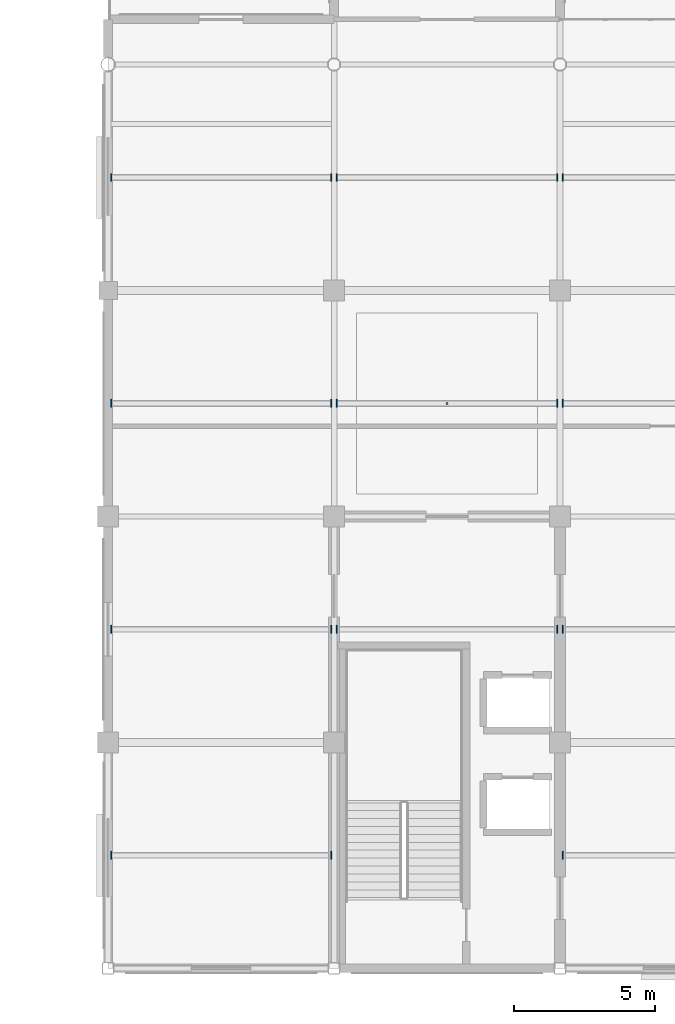
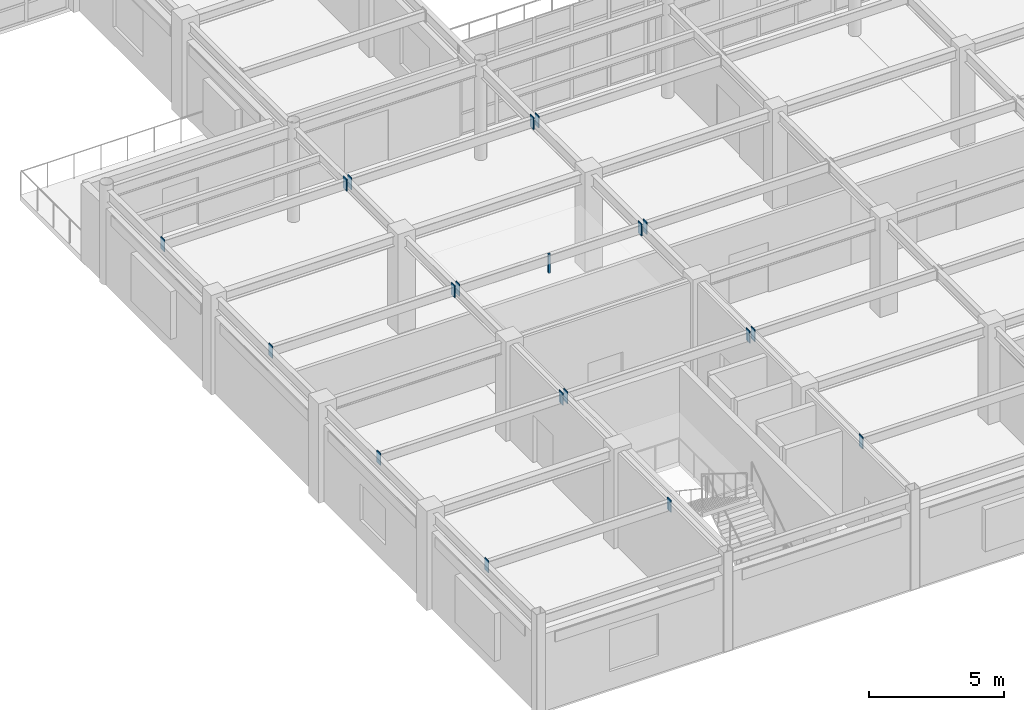
# One storey, part 66 of 93: 19 discrete accessories.
"""IFC4 building model written with IfcOpenShell, lengths in metres."""

import ifcopenshell
import ifcopenshell.guid

model = None  # the IFC model being written
_history = None  # IfcOwnerHistory: only IFC2X3 demands one
_inside = {}  # id of a spatial element -> (the spatial element, [elements in it])
_under = {}  # id of a project, library or spatial element -> (it, [spatial elements below it])
_declared = {}  # id of a project -> (the project, [libraries it declares])
_typed = {}  # id of a type object -> (the type object, [elements of that type])
_made_of = {}  # id of a material, layer set ... -> (it, [elements and type objects made of it])


def new_model(schema):
    """Start an empty IFC model of exactly this schema.

    Asked for "IFC4X3", IfcOpenShell would pick the latest addendum, in which some entities
    have other attributes; the version numbers below select the first issue.
    IFC2X3 requires an IfcOwnerHistory on every rooted entity: one is made here for all.
    """
    global model, _history
    if schema == "IFC4X3":
        model = ifcopenshell.file(schema_version=(4, 3, 0, 0))
    else:
        model = ifcopenshell.file(schema=schema)
    _inside.clear()
    _under.clear()
    _declared.clear()
    _typed.clear()
    _made_of.clear()
    _history = None
    if model.schema == "IFC2X3":
        org = make("IfcOrganization", Name="unknown")
        user = make(
            "IfcPersonAndOrganization",
            ThePerson=make("IfcPerson", FamilyName="unknown"),
            TheOrganization=org,
        )
        app = make(
            "IfcApplication",
            ApplicationDeveloper=org,
            Version="unknown",
            ApplicationFullName="unknown",
            ApplicationIdentifier="unknown",
        )
        _history = make(
            "IfcOwnerHistory",
            OwningUser=user,
            OwningApplication=app,
            ChangeAction="ADDED",
            CreationDate=0,
        )
    return model


def make(cls, **values):
    """One entity of the class cls with the attributes given. An attribute that is None is left unset."""
    return model.create_entity(
        cls, **{name: value for name, value in values.items() if value is not None}
    )


def rooted(cls, **values):
    """An entity with a GlobalId (a new one), such as an element, a storey or a relation."""
    return make(cls, GlobalId=ifcopenshell.guid.new(), OwnerHistory=_history, **values)


def si_unit(unit_type, name, prefix=None):
    """IfcSIUnit, for example si_unit("LENGTHUNIT", "METRE", prefix="MILLI")."""
    return make("IfcSIUnit", UnitType=unit_type, Prefix=prefix, Name=name)


def assignment(units):
    """IfcUnitAssignment: the units of a project."""
    return None if units is None else make("IfcUnitAssignment", Units=units)


def point(xyz):
    """IfcCartesianPoint."""
    return None if xyz is None else make("IfcCartesianPoint", Coordinates=xyz)


def direction(xyz):
    """IfcDirection."""
    return None if xyz is None else make("IfcDirection", DirectionRatios=xyz)


def frame(location, z_axis=None, x_axis=None):
    """IfcAxis2Placement3D, a coordinate frame: its origin and axes. An axis left out is left unset."""
    return make(
        "IfcAxis2Placement3D",
        Location=point(location),
        Axis=direction(z_axis),
        RefDirection=direction(x_axis),
    )


def frame_2d(location, x_axis=None):
    """IfcAxis2Placement2D, a coordinate frame in the plane: its origin and x axis."""
    return make(
        "IfcAxis2Placement2D", Location=point(location), RefDirection=direction(x_axis)
    )


def origin():
    """The frame at (0, 0, 0) with its axes left unset."""
    return frame((0.0, 0.0, 0.0))


def origin_2d():
    """The frame at (0, 0) in the plane with its x axis left unset."""
    return frame_2d((0.0, 0.0))


def place(relative_to, where):
    """IfcLocalPlacement: puts the frame where relative to a parent placement (None: the world)."""
    return make(
        "IfcLocalPlacement", PlacementRelTo=relative_to, RelativePlacement=where
    )


def context(
    kind, dimensions, precision=None, world=None, true_north=None, identifier=None
):
    """IfcGeometricRepresentationContext, for example the 3D "Model" context."""
    return make(
        "IfcGeometricRepresentationContext",
        ContextIdentifier=identifier,
        ContextType=kind,
        CoordinateSpaceDimension=dimensions,
        Precision=precision,
        WorldCoordinateSystem=world,
        TrueNorth=true_north,
    )


def subcontext(parent, identifier, kind, view, scale=None):
    """IfcGeometricRepresentationSubContext, for example "Body" below "Model"."""
    return make(
        "IfcGeometricRepresentationSubContext",
        ContextIdentifier=identifier,
        ContextType=kind,
        ParentContext=parent,
        TargetScale=scale,
        TargetView=view,
    )


def project(units=None, contexts=None):
    """IfcProject with its units and contexts."""
    return rooted(
        "IfcProject",
        Name="project",
        RepresentationContexts=contexts,
        UnitsInContext=assignment(units),
    )


def spatial(cls, under=None, at=None, **own):
    """A site, building, storey or space (cls), placed at a placement, below another one or the project."""
    s = rooted(cls, ObjectPlacement=at, **own)
    if under is not None:
        _under.setdefault(under.id(), (under, []))[1].append(s)
    return s


def profile(cls, at=None, kind="AREA", **sizes):
    """A parametric profile (cls). Its sizes go by their IFC names, for example OverallWidth=200.0."""
    return make(cls, ProfileType=kind, Position=at, **sizes)


def rectangle(**sizes):
    """IfcRectangleProfileDef."""
    return profile("IfcRectangleProfileDef", **sizes)


def extrude(swept, where, along, depth):
    """IfcExtrudedAreaSolid: the profile swept, set in the frame where, extruded along a direction by depth."""
    return make(
        "IfcExtrudedAreaSolid",
        SweptArea=swept,
        Position=where,
        ExtrudedDirection=direction(along),
        Depth=depth,
    )


def shape(context_of_items, identifier, shape_type, items):
    """IfcShapeRepresentation: the items that make up one representation, for example the "Body"."""
    return make(
        "IfcShapeRepresentation",
        ContextOfItems=context_of_items,
        RepresentationIdentifier=identifier,
        RepresentationType=shape_type,
        Items=items,
    )


def material(Name=None, Category=None):
    """IfcMaterial."""
    return make("IfcMaterial", Name=Name, Category=Category)


def layer(
    of_material, thickness, ventilated=None, Name=None, Category=None, Priority=None
):
    """IfcMaterialLayer: one layer of a wall or slab, of a material (None: an air gap)."""
    return make(
        "IfcMaterialLayer",
        Material=of_material,
        LayerThickness=thickness,
        IsVentilated=ventilated,
        Name=Name,
        Category=Category,
        Priority=Priority,
    )


def layer_set(layers, Name=None):
    """IfcMaterialLayerSet."""
    return make("IfcMaterialLayerSet", MaterialLayers=layers, LayerSetName=Name)


def made_of(thing, what):
    """Note that an element or type object is made of a material, layer set ...; save() writes the relation."""
    if what is not None:
        _made_of.setdefault(what.id(), (what, []))[1].append(thing)
    return thing


def type_object(cls, material=None, **own):
    """A type object (cls), such as IfcWallType, which elements share."""
    return made_of(rooted(cls, **own), material)


def element(
    cls,
    number,
    at=None,
    inside=None,
    cuts=None,
    type_object=None,
    material=None,
    context=None,
    identifier="Body",
    shape_type=None,
    held_by="IfcProductDefinitionShape",
    body=None,
    shapes=None,
    **own,
):
    """One element of the class cls, such as IfcWall. Its Tag is "e" and its number.

    at: its placement. inside: the storey or other place that contains it. cuts: it is an
    opening in that element (IfcRelVoidsElement). A single representation is given by context,
    identifier, shape_type and body (its items); several are given by shapes. held_by: the class
    of the entity that holds the representations. save() writes the other relations.
    """
    e = rooted(cls, Tag="e%d" % number, ObjectPlacement=at, **own)
    if body is not None:
        shapes = [shape(context, identifier, shape_type, body)]
    if shapes is not None:
        e.Representation = make(held_by, Representations=shapes)
    if inside is not None:
        _inside.setdefault(inside.id(), (inside, []))[1].append(e)
    if cuts is not None:
        rooted(
            "IfcRelVoidsElement", RelatingBuildingElement=cuts, RelatedOpeningElement=e
        )
    if type_object is not None:
        _typed.setdefault(type_object.id(), (type_object, []))[1].append(e)
    return made_of(e, material)


def aggregate(whole, parts):
    """IfcRelAggregates: a whole, such as a stair, and the parts it consists of."""
    return rooted("IfcRelAggregates", RelatingObject=whole, RelatedObjects=parts)


def save(model, path):
    """Write the relations noted so far, then the file.

    IfcRelAggregates (storeys below a building ...), IfcRelContainedInSpatialStructure (elements
    in a storey), IfcRelDefinesByType, IfcRelAssociatesMaterial and IfcRelDeclares: one each for
    every whole, place, type object, material and project.
    """
    for whole, parts in _under.values():
        aggregate(whole, parts)
    for where, things in _inside.values():
        rooted(
            "IfcRelContainedInSpatialStructure",
            RelatedElements=things,
            RelatingStructure=where,
        )
    for kind, things in _typed.values():
        rooted("IfcRelDefinesByType", RelatedObjects=things, RelatingType=kind)
    for what, things in _made_of.values():
        rooted("IfcRelAssociatesMaterial", RelatedObjects=things, RelatingMaterial=what)
    for by, libraries in _declared.values():
        rooted("IfcRelDeclares", RelatingContext=by, RelatedDefinitions=libraries)
    model.write(path)


model = new_model("IFC4")

# Units and contexts
model_context = context("Model", 3, precision=1e-05, world=origin(), true_north=direction((0.0, 1.0)))
body_context = subcontext(model_context, "Body", "Model", "MODEL_VIEW")
ifc_project = project(units=[si_unit("LENGTHUNIT", "METRE"), si_unit("AREAUNIT", "SQUARE_METRE"), si_unit("VOLUMEUNIT", "CUBIC_METRE"), si_unit("PLANEANGLEUNIT", "RADIAN"), si_unit("MASSUNIT", "GRAM", prefix="KILO")], contexts=[model_context])

# Site, building, storey
site_placement = place(None, origin())
site = spatial("IfcSite", under=ifc_project, at=site_placement, CompositionType="ELEMENT")
building_placement = place(site_placement, origin())
building = spatial("IfcBuilding", under=site, at=building_placement, Name="Solmirada Galleria", CompositionType="ELEMENT")
storey_placement = place(building_placement, frame((0.0, 0.0, 14.89990234375)))
storey = spatial("IfcBuildingStorey", under=building, at=storey_placement, Name="L03", CompositionType="ELEMENT", Elevation=14.89990234375)

# Discrete accessories
ifc_material_1 = material(Name="Steel S355 / ASTM A992 Grade 50", Category="steel")
discrete_accessory_type_1 = type_object("IfcDiscreteAccessoryType", Name="ACC-CEIL-HANGER", PredefinedType="BRACKET", material=ifc_material_1)
discrete_accessory_placement = place(storey_placement, frame((92.0, 20.0, 3.449951171875), z_axis=(0.0, 0.0, 1.0), x_axis=(1.0, 0.0, 0.0)))
element("IfcDiscreteAccessory", 1, at=discrete_accessory_placement, inside=storey, type_object=discrete_accessory_type_1, Name="Ceiling suspension hanger L03-2", PredefinedType="BRACKET", context=body_context, shape_type="SweptSolid", body=[
    extrude(rectangle(XDim=0.080078125, YDim=0.080078125, at=origin_2d()), origin(), (0.0, 0.0, 1.0), 0.8701171875),
])
ifc_material_2 = material(Name="Steel S355 / ASTM A572 Grade 50", Category="steel")
ifc_layer = layer(ifc_material_2, 0.031982421875)
ifc_layer_set = layer_set([ifc_layer], Name="Steel S355 / ASTM A572 Grade 50")
discrete_accessory_type_2 = type_object("IfcDiscreteAccessoryType", Name="ACC-COL-CAP", PredefinedType="BRACKET", material=ifc_layer_set)
for number, where, z_axis, x_axis, name in (
    (2, (80.10498046875, 4.0, 3.8271484375), (0.0, 0.0, 1.0), (1.0, 0.0, 0.0), "Hollow joist end plate L04-11-01-L"),
    (3, (87.903076171875, 4.0, 3.8271484375), (0.0, 0.0, 1.0), (1.0, 0.0, 0.0), "Hollow joist end plate L04-11-01-R"),
    (4, (80.10498046875, 12.0, 3.8271484375), (0.0, 0.0, 1.0), (1.0, 0.0, 0.0), "Hollow joist end plate L04-11-02-L"),
    (5, (87.903076171875, 12.0, 3.8271484375), (0.0, 0.0, 1.0), (1.0, 0.0, 0.0), "Hollow joist end plate L04-11-02-R"),
    (6, (80.10498046875, 20.0, 3.8271484375), (0.0, 0.0, 1.0), (1.0, 0.0, 0.0), "Hollow joist end plate L04-11-03-L"),
    (7, (87.903076171875, 20.0, 3.8271484375), (0.0, 0.0, 1.0), (1.0, 0.0, 0.0), "Hollow joist end plate L04-11-03-R"),
    (8, (80.10498046875, 28.0, 3.787109375), (0.0, 0.0, 1.0), (1.0, 0.0, 0.0), "Hollow joist end plate L04-11-04-L"),
    (9, (87.903076171875, 28.0, 3.787109375), (0.0, 0.0, 1.0), (1.0, 0.0, 0.0), "Hollow joist end plate L04-11-04-R"),
    (10, (88.096923828125, 12.0, 3.8271484375), (0.0, 0.0, 1.0), (1.0, 0.0, 0.0), "Hollow joist end plate L04-12-02-L"),
    (11, (95.89501953125, 12.0, 3.8271484375), (0.0, 0.0, 1.0), (1.0, 0.0, 0.0), "Hollow joist end plate L04-12-02-R"),
    (12, (88.096923828125, 20.0, 3.8271484375), (0.0, 0.0, 1.0), (1.0, 0.0, 0.0), "Hollow joist end plate L04-12-03-L"),
    (13, (95.89501953125, 20.0, 3.8271484375), (0.0, 0.0, 1.0), (1.0, 0.0, 0.0), "Hollow joist end plate L04-12-03-R"),
    (14, (88.096923828125, 28.0, 3.787109375), (0.0, 0.0, 1.0), (1.0, 0.0, 0.0), "Hollow joist end plate L04-12-04-L"),
    (15, (95.89501953125, 28.0, 3.787109375), (0.0, 0.0, 1.0), (1.0, 0.0, 0.0), "Hollow joist end plate L04-12-04-R"),
    (16, (96.10498046875, 4.0, 3.8271484375), (0.0, 0.0, 1.0), (1.0, 0.0, 0.0), "Hollow joist end plate L04-13-01-L"),
    (17, (96.10498046875, 12.0, 3.8271484375), (0.0, 0.0, 1.0), (1.0, 0.0, 0.0), "Hollow joist end plate L04-13-02-L"),
    (18, (96.10498046875, 20.0, 3.8271484375), (0.0, 0.0, 1.0), (1.0, 0.0, 0.0), "Hollow joist end plate L04-13-03-L"),
    (19, (96.10498046875, 28.0, 3.787109375), (0.0, 0.0, 1.0), (1.0, 0.0, 0.0), "Hollow joist end plate L04-13-04-L"),
):
    element("IfcDiscreteAccessory", number, at=place(storey_placement, frame(where, z_axis=z_axis, x_axis=x_axis)), inside=storey, type_object=discrete_accessory_type_2, Name=name, PredefinedType="BRACKET", context=body_context, shape_type="SweptSolid", body=[
        extrude(rectangle(XDim=0.035888671875, YDim=0.280029296875, at=origin_2d()), origin(), (0.0, 0.0, 1.0), 0.5400390625),
    ])

save(model, "model.ifc")
